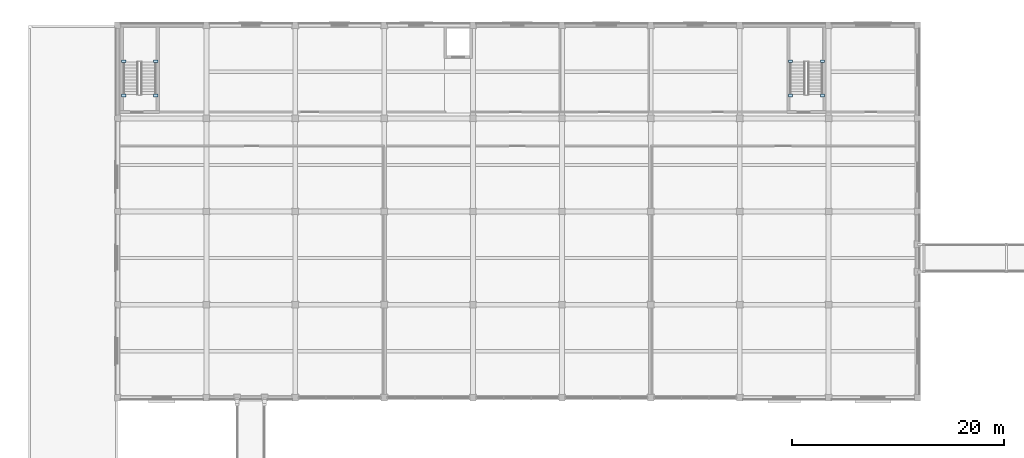
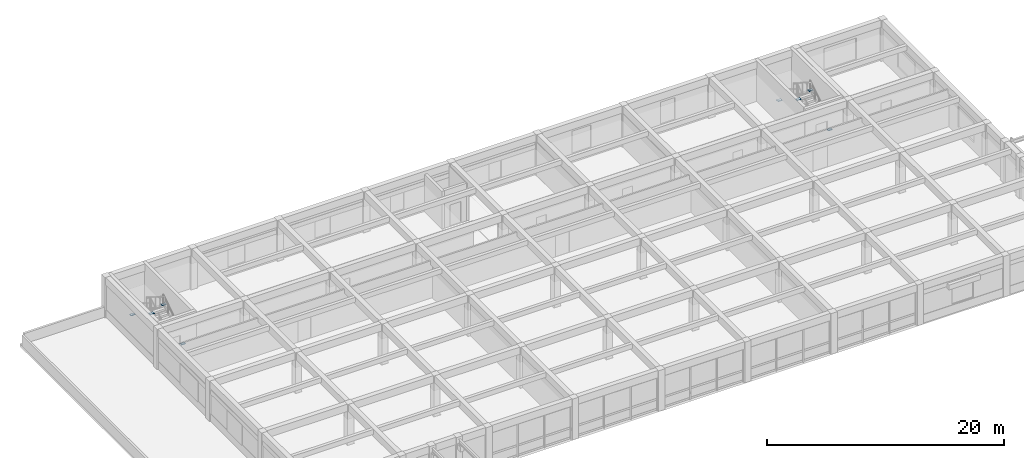
# One storey, part 33 of 57: 8 plates.
"""IFC4 building model written with IfcOpenShell, lengths in metres."""

from ifc_helpers import new_model, si_unit, direction, frame, origin, origin_2d, place, context, subcontext, project, spatial, rectangle, extrude, material, layer, layer_set, type_object, element, save


model = new_model("IFC4")

# Units and contexts
model_context = context("Model", 3, precision=1e-05, world=origin(), true_north=direction((0.0, 1.0)))
body_context = subcontext(model_context, "Body", "Model", "MODEL_VIEW")
ifc_project = project(units=[si_unit("LENGTHUNIT", "METRE"), si_unit("AREAUNIT", "SQUARE_METRE"), si_unit("VOLUMEUNIT", "CUBIC_METRE"), si_unit("PLANEANGLEUNIT", "RADIAN"), si_unit("MASSUNIT", "GRAM", prefix="KILO")], contexts=[model_context])

# Site, building, storey
site_placement = place(None, origin())
site = spatial("IfcSite", under=ifc_project, at=site_placement, CompositionType="ELEMENT")
building_placement = place(site_placement, origin())
building = spatial("IfcBuilding", under=site, at=building_placement, Name="Kemercrest Conservatory and Botanical Centre", CompositionType="ELEMENT")
storey_placement = place(building_placement, frame((0.0, 0.0, 4.800048828125)))
storey = spatial("IfcBuildingStorey", under=building, at=storey_placement, Name="L01", CompositionType="ELEMENT", Elevation=4.800048828125)

# Plates
ifc_material = material(Name="Steel CSA G40.21 350W", Category="steel")
ifc_layer = layer(ifc_material, 0.030029296875)
ifc_layer_set = layer_set([ifc_layer], Name="Steel CSA G40.21 350W")
plate_type = type_object("IfcPlateType", Name="GN-05", PredefinedType="USERDEFINED", material=ifc_layer_set)
for number, where, z_axis, x_axis, name in (
    (1, (20.010009765625, 115.760009765625, -0.115234375), (0.0, 0.0, 1.0), (1.0, 0.0, 0.0), "Stair stringer base node cap GN-05 #25"),
    (2, (20.010009765625, 119.0, 1.96484375), (0.0, 0.0, 1.0), (1.0, 0.0, 0.0), "Stair stringer head node cap GN-05 #25"),
    (3, (16.989990234375, 115.760009765625, 4.06494140625), (0.0, 0.0, 1.0), (1.0, 0.0, 0.0), "Stair stringer base node cap GN-05 #26"),
    (4, (16.989990234375, 119.0, 1.98486328125), (0.0, 0.0, 1.0), (1.0, 0.0, 0.0), "Stair stringer head node cap GN-05 #26"),
    (5, (83.010009765625, 115.760009765625, -0.115234375), (0.0, 0.0, 1.0), (1.0, 0.0, 0.0), "Stair stringer base node cap GN-05 #33"),
    (6, (83.010009765625, 119.0, 1.96484375), (0.0, 0.0, 1.0), (1.0, 0.0, 0.0), "Stair stringer head node cap GN-05 #33"),
    (7, (79.989990234375, 115.760009765625, 4.06494140625), (0.0, 0.0, 1.0), (1.0, 0.0, 0.0), "Stair stringer base node cap GN-05 #34"),
    (8, (79.989990234375, 119.0, 1.98486328125), (0.0, 0.0, 1.0), (1.0, 0.0, 0.0), "Stair stringer head node cap GN-05 #34"),
):
    element("IfcPlate", number, at=place(storey_placement, frame(where, z_axis=z_axis, x_axis=x_axis)), inside=storey, type_object=plate_type, Name=name, ObjectType="GUSSET PLATE", PredefinedType="USERDEFINED", context=body_context, shape_type="SweptSolid", body=[
        extrude(rectangle(XDim=0.39990234375, YDim=0.280029296875, at=origin_2d()), origin(), (0.0, 0.0, 1.0), 0.030029296875),
    ])

save(model, "model.ifc")
